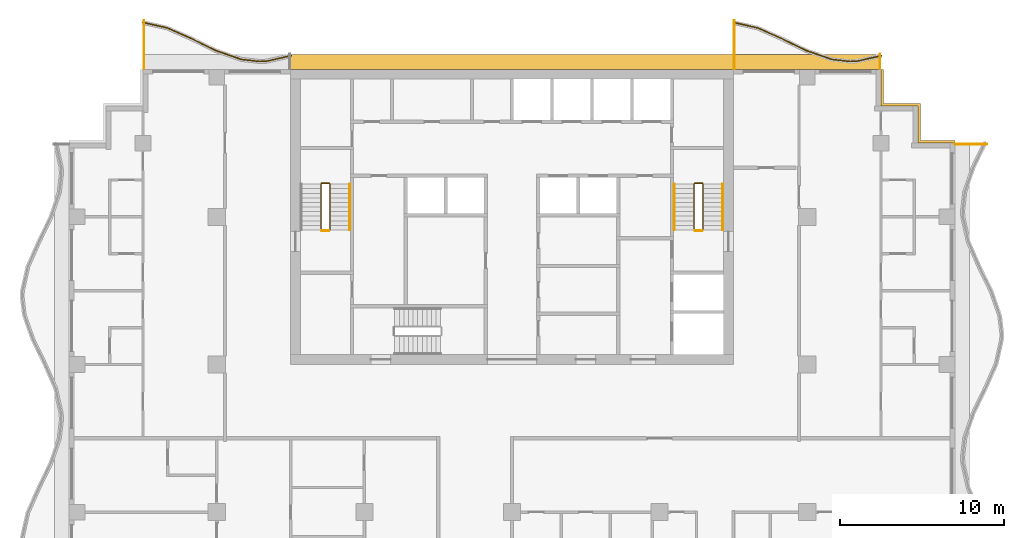
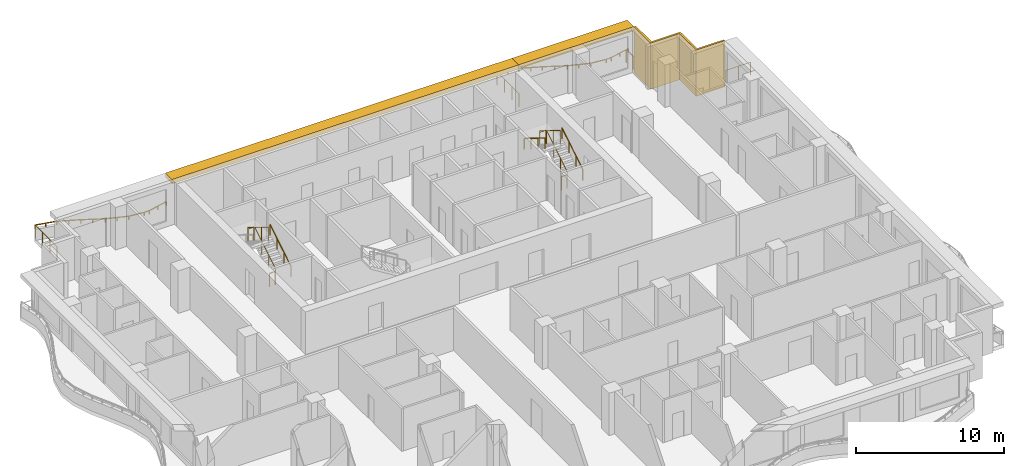
# One storey, part 11 of 11: 13 railings, 3 shading devices.
"""IFC4 building model written with IfcOpenShell, lengths in metres."""

from ifc_helpers import new_model, si_unit, direction, frame, origin, origin_2d, place, context, subcontext, project, spatial, polyline, rectangle, circle, outline, extrude, material, layer, layer_set, type_object, element, save


model = new_model("IFC4")

# Units and contexts
model_context = context("Model", 3, precision=1e-05, world=origin(), true_north=direction((0.0, 1.0)))
body_context = subcontext(model_context, "Body", "Model", "MODEL_VIEW")
ifc_project = project(units=[si_unit("LENGTHUNIT", "METRE"), si_unit("AREAUNIT", "SQUARE_METRE"), si_unit("VOLUMEUNIT", "CUBIC_METRE"), si_unit("PLANEANGLEUNIT", "RADIAN"), si_unit("MASSUNIT", "GRAM", prefix="KILO")], contexts=[model_context])

# Site, building, storey
site_placement = place(None, origin())
site = spatial("IfcSite", under=ifc_project, at=site_placement, CompositionType="ELEMENT")
building_placement = place(site_placement, origin())
building = spatial("IfcBuilding", under=site, at=building_placement, Name="Orbiselva Terraces", CompositionType="ELEMENT")
storey_placement = place(building_placement, frame((0.0, 0.0, 230.0)))
storey = spatial("IfcBuildingStorey", under=building, at=storey_placement, Name="L58", CompositionType="ELEMENT", Elevation=230.0)

# Railings
ifc_material_1 = material(Name="Stainless steel", Category="steel")
railing_type_1 = type_object("IfcRailingType", Name="CORE-GUARD-1100", PredefinedType="GUARDRAIL", material=ifc_material_1)
railing_1_placement = place(storey_placement, frame((-11.1, 12.7, 0.172727)))
element("IfcRailing", 1, at=railing_1_placement, inside=storey, type_object=railing_type_1, Name="L58 S1 stair guard 1", PredefinedType="GUARDRAIL", context=body_context, shape_type="SweptSolid", body=[
    extrude(circle(Radius=0.024, at=origin_2d()), frame((0.0, 0.0, 1.081), z_axis=(0.0, 0.851088519012, 0.52502222125), x_axis=(-1.0, 0.0, 0.0)), (0.0, 0.0, 1.0), 3.289905),
    extrude(circle(Radius=0.024, at=origin_2d()), frame((0.0, 2.8, 2.808273), z_axis=(-0.707106781187, 0.707106781187, 0.0), x_axis=(-0.707106781187, -0.707106781187, 0.0)), (0.0, 0.0, 1.0), 0.070711),
    extrude(circle(Radius=0.024, at=origin_2d()), frame((-0.05, 2.85, 2.808273), z_axis=(-1.0, 0.0, 0.0), x_axis=(0.0, -1.0, 0.0)), (0.0, 0.0, 1.0), 0.45),
    extrude(circle(Radius=0.024, at=origin_2d()), frame((-0.5, 2.85, 2.808273), z_axis=(-0.267894925557, -0.267894925557, 0.925453736133), x_axis=(0.707106781187, -0.707106781187, 0.0)), (0.0, 0.0, 1.0), 0.18664),
    extrude(circle(Radius=0.024, at=origin_2d()), frame((-0.55, 2.8, 2.981), z_axis=(0.0, -0.851088519012, 0.52502222125), x_axis=(1.0, 0.0, 0.0)), (0.0, 0.0, 1.0), 3.289905),
    extrude(circle(Radius=0.021, at=origin_2d()), origin(), (0.0, 0.0, 1.0), 1.057),
    extrude(circle(Radius=0.021, at=origin_2d()), frame((0.0, 0.933333, 0.575758)), (0.0, 0.0, 1.0), 1.057),
    extrude(circle(Radius=0.021, at=origin_2d()), frame((0.0, 1.866667, 1.151515)), (0.0, 0.0, 1.0), 1.057),
    extrude(circle(Radius=0.021, at=origin_2d()), frame((0.0, 2.8, 1.727273)), (0.0, 0.0, 1.0), 1.057),
    extrude(circle(Radius=0.021, at=origin_2d()), frame((-0.05, 2.85, 1.727273)), (0.0, 0.0, 1.0), 1.057),
    extrude(circle(Radius=0.021, at=origin_2d()), frame((-0.5, 2.85, 1.727273)), (0.0, 0.0, 1.0), 1.057),
    extrude(circle(Radius=0.021, at=origin_2d()), frame((-0.55, 2.8, 1.9)), (0.0, 0.0, 1.0), 1.057),
    extrude(circle(Radius=0.021, at=origin_2d()), frame((-0.55, 1.866667, 2.475758)), (0.0, 0.0, 1.0), 1.057),
    extrude(circle(Radius=0.021, at=origin_2d()), frame((-0.55, 0.933333, 3.051515)), (0.0, 0.0, 1.0), 1.057),
    extrude(circle(Radius=0.021, at=origin_2d()), frame((-0.55, 0.0, 3.627273)), (0.0, 0.0, 1.0), 1.057),
])
railing_2_placement = place(storey_placement, frame((-11.15, 12.65, 0.0)))
element("IfcRailing", 2, at=railing_2_placement, inside=storey, type_object=railing_type_1, Name="L58 S1 stair guard 2", PredefinedType="GUARDRAIL", context=body_context, shape_type="SweptSolid", body=[
    extrude(circle(Radius=0.024, at=origin_2d()), frame((0.0, 0.0, 1.081), z_axis=(-1.0, 0.0, 0.0), x_axis=(0.0, -1.0, 0.0)), (0.0, 0.0, 1.0), 0.45),
    extrude(circle(Radius=0.021, at=origin_2d()), origin(), (0.0, 0.0, 1.0), 1.057),
    extrude(circle(Radius=0.021, at=origin_2d()), frame((-0.45, 0.0, 0.0)), (0.0, 0.0, 1.0), 1.057),
])
railing_3_placement = place(storey_placement, frame((11.65, 12.7, 0.172727)))
element("IfcRailing", 3, at=railing_3_placement, inside=storey, type_object=railing_type_1, Name="L58 S2 stair guard 1", PredefinedType="GUARDRAIL", context=body_context, shape_type="SweptSolid", body=[
    extrude(circle(Radius=0.024, at=origin_2d()), frame((0.0, 0.0, 1.081), z_axis=(0.0, 0.851088519012, 0.52502222125), x_axis=(-1.0, 0.0, 0.0)), (0.0, 0.0, 1.0), 3.289905),
    extrude(circle(Radius=0.024, at=origin_2d()), frame((0.0, 2.8, 2.808273), z_axis=(-0.707106781187, 0.707106781187, 0.0), x_axis=(-0.707106781187, -0.707106781187, 0.0)), (0.0, 0.0, 1.0), 0.070711),
    extrude(circle(Radius=0.024, at=origin_2d()), frame((-0.05, 2.85, 2.808273), z_axis=(-1.0, 0.0, 0.0), x_axis=(0.0, -1.0, 0.0)), (0.0, 0.0, 1.0), 0.45),
    extrude(circle(Radius=0.024, at=origin_2d()), frame((-0.5, 2.85, 2.808273), z_axis=(-0.267894925557, -0.267894925557, 0.925453736133), x_axis=(0.707106781187, -0.707106781187, 0.0)), (0.0, 0.0, 1.0), 0.18664),
    extrude(circle(Radius=0.024, at=origin_2d()), frame((-0.55, 2.8, 2.981), z_axis=(0.0, -0.851088519012, 0.52502222125), x_axis=(1.0, 0.0, 0.0)), (0.0, 0.0, 1.0), 3.289905),
    extrude(circle(Radius=0.021, at=origin_2d()), origin(), (0.0, 0.0, 1.0), 1.057),
    extrude(circle(Radius=0.021, at=origin_2d()), frame((0.0, 0.933333, 0.575758)), (0.0, 0.0, 1.0), 1.057),
    extrude(circle(Radius=0.021, at=origin_2d()), frame((0.0, 1.866667, 1.151515)), (0.0, 0.0, 1.0), 1.057),
    extrude(circle(Radius=0.021, at=origin_2d()), frame((0.0, 2.8, 1.727273)), (0.0, 0.0, 1.0), 1.057),
    extrude(circle(Radius=0.021, at=origin_2d()), frame((-0.05, 2.85, 1.727273)), (0.0, 0.0, 1.0), 1.057),
    extrude(circle(Radius=0.021, at=origin_2d()), frame((-0.5, 2.85, 1.727273)), (0.0, 0.0, 1.0), 1.057),
    extrude(circle(Radius=0.021, at=origin_2d()), frame((-0.55, 2.8, 1.9)), (0.0, 0.0, 1.0), 1.057),
    extrude(circle(Radius=0.021, at=origin_2d()), frame((-0.55, 1.866667, 2.475758)), (0.0, 0.0, 1.0), 1.057),
    extrude(circle(Radius=0.021, at=origin_2d()), frame((-0.55, 0.933333, 3.051515)), (0.0, 0.0, 1.0), 1.057),
    extrude(circle(Radius=0.021, at=origin_2d()), frame((-0.55, 0.0, 3.627273)), (0.0, 0.0, 1.0), 1.057),
])
railing_4_placement = place(storey_placement, frame((11.6, 12.65, 0.0)))
element("IfcRailing", 4, at=railing_4_placement, inside=storey, type_object=railing_type_1, Name="L58 S2 stair guard 2", PredefinedType="GUARDRAIL", context=body_context, shape_type="SweptSolid", body=[
    extrude(circle(Radius=0.024, at=origin_2d()), frame((0.0, 0.0, 1.081), z_axis=(-1.0, 0.0, 0.0), x_axis=(0.0, -1.0, 0.0)), (0.0, 0.0, 1.0), 0.45),
    extrude(circle(Radius=0.021, at=origin_2d()), origin(), (0.0, 0.0, 1.0), 1.057),
    extrude(circle(Radius=0.021, at=origin_2d()), frame((-0.45, 0.0, 0.0)), (0.0, 0.0, 1.0), 1.057),
])
railing_type_2 = type_object("IfcRailingType", Name="CORE-HANDRAIL-900", PredefinedType="HANDRAIL", material=ifc_material_1)
for number, where, name in (
    (5, (-9.9, 12.7, 0.172727), "L58 S1 stair handrail 1"),
    (6, (12.85, 12.7, 0.172727), "L58 S2 stair handrail 1"),
):
    element("IfcRailing", number, at=place(storey_placement, frame(where)), inside=storey, type_object=railing_type_2, Name=name, PredefinedType="HANDRAIL", context=body_context, shape_type="SweptSolid", body=[
        extrude(circle(Radius=0.024, at=origin_2d()), frame((0.0, 0.0, 0.876), z_axis=(0.0, 0.851088519012, 0.52502222125), x_axis=(-1.0, 0.0, 0.0)), (0.0, 0.0, 1.0), 3.289905),
        extrude(circle(Radius=0.021, at=origin_2d()), origin(), (0.0, 0.0, 1.0), 0.852),
        extrude(circle(Radius=0.021, at=origin_2d()), frame((0.0, 0.933333, 0.575758)), (0.0, 0.0, 1.0), 0.852),
        extrude(circle(Radius=0.021, at=origin_2d()), frame((0.0, 1.866667, 1.151515)), (0.0, 0.0, 1.0), 0.852),
        extrude(circle(Radius=0.021, at=origin_2d()), frame((0.0, 2.8, 1.727273)), (0.0, 0.0, 1.0), 0.852),
    ])
railing_5_placement = place(storey_placement, frame((9.9, 15.5, 2.072727)))
element("IfcRailing", 7, at=railing_5_placement, inside=storey, type_object=railing_type_2, Name="L58 S2 stair handrail 2", PredefinedType="HANDRAIL", context=body_context, shape_type="SweptSolid", body=[
    extrude(circle(Radius=0.024, at=origin_2d()), frame((0.0, 0.0, 0.876), z_axis=(0.0, -0.851088519012, 0.52502222125), x_axis=(1.0, 0.0, 0.0)), (0.0, 0.0, 1.0), 3.289905),
    extrude(circle(Radius=0.021, at=origin_2d()), origin(), (0.0, 0.0, 1.0), 0.852),
    extrude(circle(Radius=0.021, at=origin_2d()), frame((0.0, -0.933333, 0.575758)), (0.0, 0.0, 1.0), 0.852),
    extrude(circle(Radius=0.021, at=origin_2d()), frame((0.0, -1.866667, 1.151515)), (0.0, 0.0, 1.0), 0.852),
    extrude(circle(Radius=0.021, at=origin_2d()), frame((0.0, -2.8, 1.727273)), (0.0, 0.0, 1.0), 0.852),
])
ifc_material_2 = material(Name="Bonded two-ply safety glass balustrade, stainless steel posts", Category="steel")
railing_type_3 = type_object("IfcRailingType", Name="ENV-BALUSTRADE-1200", PredefinedType="BALUSTRADE", material=ifc_material_2)
railing_6_placement = place(storey_placement, frame((22.527377, 23.329507, 0.9)))
element("IfcRailing", 8, at=railing_6_placement, inside=storey, type_object=railing_type_3, Name="Balcony balustrade L58 NE", PredefinedType="BALUSTRADE", context=body_context, shape_type="SweptSolid", body=[
    extrude(outline(polyline([(0.028868, 0.0), (0.014434, 0.025), (-0.014434, 0.025), (-0.028868, 0.0), (-0.014434, -0.025), (0.014434, -0.025), (0.028868, 0.0)])), frame((0.0, 0.0, 0.275), z_axis=(-0.97572138316, -0.219015484484, 0.0), x_axis=(0.219015484484, -0.97572138316, 0.0)), (0.0, 0.0, 1.0), 1.548694),
    extrude(outline(polyline([(0.028868, 0.0), (0.014434, 0.025), (-0.014434, 0.025), (-0.028868, 0.0), (-0.014434, -0.025), (0.014434, -0.025), (0.028868, 0.0)])), frame((-1.511094, -0.339188, 0.275), z_axis=(-0.999224734286, -0.03936915532, 0.0), x_axis=(0.03936915532, -0.999224734286, 0.0)), (0.0, 0.0, 1.0), 0.396376),
    extrude(outline(polyline([(0.028868, 0.0), (0.014434, 0.025), (-0.014434, 0.025), (-0.028868, 0.0), (-0.014434, -0.025), (0.014434, -0.025), (0.028868, 0.0)])), frame((-1.907163, -0.354793, 0.275), z_axis=(-0.993309551734, 0.115482182324, 0.0), x_axis=(-0.115482182324, -0.993309551734, 0.0)), (0.0, 0.0, 1.0), 1.156135),
    extrude(outline(polyline([(0.028868, 0.0), (0.014434, 0.025), (-0.014434, 0.025), (-0.028868, 0.0), (-0.014434, -0.025), (0.014434, -0.025), (0.028868, 0.0)])), frame((-3.055563, -0.22128, 0.275), z_axis=(-0.943972332783, 0.330024597479, 0.0), x_axis=(-0.330024597479, -0.943972332783, 0.0)), (0.0, 0.0, 1.0), 1.610253),
    extrude(outline(polyline([(0.028868, 0.0), (0.014434, 0.025), (-0.014434, 0.025), (-0.028868, 0.0), (-0.014434, -0.025), (0.014434, -0.025), (0.028868, 0.0)])), frame((-4.575597, 0.310143, 0.275), z_axis=(-0.898578870221, 0.438812048596, 0.0), x_axis=(-0.438812048596, -0.898578870221, 0.0)), (0.0, 0.0, 1.0), 1.674225),
    extrude(outline(polyline([(0.028868, 0.0), (0.014434, 0.025), (-0.014434, 0.025), (-0.028868, 0.0), (-0.014434, -0.025), (0.014434, -0.025), (0.028868, 0.0)])), frame((-6.08002, 1.044813, 0.275), z_axis=(-0.915133363686, 0.403151245402, 0.0), x_axis=(-0.403151245402, -0.915133363686, 0.0)), (0.0, 0.0, 1.0), 1.624475),
    extrude(outline(polyline([(0.028868, 0.0), (0.014434, 0.025), (-0.014434, 0.025), (-0.028868, 0.0), (-0.014434, -0.025), (0.014434, -0.025), (0.028868, 0.0)])), frame((-7.566631, 1.699722, 0.275), z_axis=(-0.975721356559, 0.219015602994, 0.0), x_axis=(-0.219015602994, -0.975721356559, 0.0)), (0.0, 0.0, 1.0), 1.525152),
    extrude(rectangle(XDim=0.05, YDim=0.05, at=origin_2d()), origin(), (0.0, 0.0, 1.0), 0.25),
    extrude(rectangle(XDim=0.05, YDim=0.05, at=origin_2d()), frame((-0.755547, -0.169594, 0.0)), (0.0, 0.0, 1.0), 0.25),
    extrude(rectangle(XDim=0.05, YDim=0.05, at=origin_2d()), frame((-1.511094, -0.339188, 0.0)), (0.0, 0.0, 1.0), 0.25),
    extrude(rectangle(XDim=0.05, YDim=0.05, at=origin_2d()), frame((-1.907163, -0.354793, 0.0)), (0.0, 0.0, 1.0), 0.25),
    extrude(rectangle(XDim=0.05, YDim=0.05, at=origin_2d()), frame((-3.055563, -0.22128, 0.0)), (0.0, 0.0, 1.0), 0.25),
    extrude(rectangle(XDim=0.05, YDim=0.05, at=origin_2d()), frame((-3.81558, 0.044431, 0.0)), (0.0, 0.0, 1.0), 0.25),
    extrude(rectangle(XDim=0.05, YDim=0.05, at=origin_2d()), frame((-4.575597, 0.310143, 0.0)), (0.0, 0.0, 1.0), 0.25),
    extrude(rectangle(XDim=0.05, YDim=0.05, at=origin_2d()), frame((-5.327809, 0.677478, 0.0)), (0.0, 0.0, 1.0), 0.25),
    extrude(rectangle(XDim=0.05, YDim=0.05, at=origin_2d()), frame((-6.08002, 1.044813, 0.0)), (0.0, 0.0, 1.0), 0.25),
    extrude(rectangle(XDim=0.05, YDim=0.05, at=origin_2d()), frame((-6.823326, 1.372268, 0.0)), (0.0, 0.0, 1.0), 0.25),
    extrude(rectangle(XDim=0.05, YDim=0.05, at=origin_2d()), frame((-7.566631, 1.699722, 0.0)), (0.0, 0.0, 1.0), 0.25),
    extrude(rectangle(XDim=0.05, YDim=0.05, at=origin_2d()), frame((-8.310693, 1.866738, 0.0)), (0.0, 0.0, 1.0), 0.25),
    extrude(rectangle(XDim=0.05, YDim=0.05, at=origin_2d()), frame((-9.054754, 2.033754, 0.0)), (0.0, 0.0, 1.0), 0.25),
])
railing_7_placement = place(storey_placement, frame((-13.472623, 23.329507, 0.9)))
element("IfcRailing", 9, at=railing_7_placement, inside=storey, type_object=railing_type_3, Name="Balcony balustrade L58 NW", PredefinedType="BALUSTRADE", context=body_context, shape_type="SweptSolid", body=[
    extrude(outline(polyline([(0.028868, 0.0), (0.014434, 0.025), (-0.014434, 0.025), (-0.028868, 0.0), (-0.014434, -0.025), (0.014434, -0.025), (0.028868, 0.0)])), frame((0.0, 0.0, 0.275), z_axis=(-0.97572138316, -0.219015484484, 0.0), x_axis=(0.219015484484, -0.97572138316, 0.0)), (0.0, 0.0, 1.0), 1.548694),
    extrude(outline(polyline([(0.028868, 0.0), (0.014434, 0.025), (-0.014434, 0.025), (-0.028868, 0.0), (-0.014434, -0.025), (0.014434, -0.025), (0.028868, 0.0)])), frame((-1.511094, -0.339188, 0.275), z_axis=(-0.999224734286, -0.03936915532, 0.0), x_axis=(0.03936915532, -0.999224734286, 0.0)), (0.0, 0.0, 1.0), 0.396376),
    extrude(outline(polyline([(0.028868, 0.0), (0.014434, 0.025), (-0.014434, 0.025), (-0.028868, 0.0), (-0.014434, -0.025), (0.014434, -0.025), (0.028868, 0.0)])), frame((-1.907163, -0.354793, 0.275), z_axis=(-0.993309551734, 0.115482182324, 0.0), x_axis=(-0.115482182324, -0.993309551734, 0.0)), (0.0, 0.0, 1.0), 1.156135),
    extrude(outline(polyline([(0.028868, 0.0), (0.014434, 0.025), (-0.014434, 0.025), (-0.028868, 0.0), (-0.014434, -0.025), (0.014434, -0.025), (0.028868, 0.0)])), frame((-3.055563, -0.22128, 0.275), z_axis=(-0.943972332783, 0.330024597479, 0.0), x_axis=(-0.330024597479, -0.943972332783, 0.0)), (0.0, 0.0, 1.0), 1.610253),
    extrude(outline(polyline([(0.028868, 0.0), (0.014434, 0.025), (-0.014434, 0.025), (-0.028868, 0.0), (-0.014434, -0.025), (0.014434, -0.025), (0.028868, 0.0)])), frame((-4.575597, 0.310143, 0.275), z_axis=(-0.898578870221, 0.438812048596, 0.0), x_axis=(-0.438812048596, -0.898578870221, 0.0)), (0.0, 0.0, 1.0), 1.674225),
    extrude(outline(polyline([(0.028868, 0.0), (0.014434, 0.025), (-0.014434, 0.025), (-0.028868, 0.0), (-0.014434, -0.025), (0.014434, -0.025), (0.028868, 0.0)])), frame((-6.08002, 1.044813, 0.275), z_axis=(-0.915133363686, 0.403151245402, 0.0), x_axis=(-0.403151245402, -0.915133363686, 0.0)), (0.0, 0.0, 1.0), 1.624475),
    extrude(outline(polyline([(0.028868, 0.0), (0.014434, 0.025), (-0.014434, 0.025), (-0.028868, 0.0), (-0.014434, -0.025), (0.014434, -0.025), (0.028868, 0.0)])), frame((-7.566631, 1.699722, 0.275), z_axis=(-0.975721356559, 0.219015602994, 0.0), x_axis=(-0.219015602994, -0.975721356559, 0.0)), (0.0, 0.0, 1.0), 1.525152),
    extrude(rectangle(XDim=0.05, YDim=0.05, at=origin_2d()), origin(), (0.0, 0.0, 1.0), 0.25),
    extrude(rectangle(XDim=0.05, YDim=0.05, at=origin_2d()), frame((-0.755547, -0.169594, 0.0)), (0.0, 0.0, 1.0), 0.25),
    extrude(rectangle(XDim=0.05, YDim=0.05, at=origin_2d()), frame((-1.511094, -0.339188, 0.0)), (0.0, 0.0, 1.0), 0.25),
    extrude(rectangle(XDim=0.05, YDim=0.05, at=origin_2d()), frame((-1.907163, -0.354793, 0.0)), (0.0, 0.0, 1.0), 0.25),
    extrude(rectangle(XDim=0.05, YDim=0.05, at=origin_2d()), frame((-3.055563, -0.22128, 0.0)), (0.0, 0.0, 1.0), 0.25),
    extrude(rectangle(XDim=0.05, YDim=0.05, at=origin_2d()), frame((-3.81558, 0.044431, 0.0)), (0.0, 0.0, 1.0), 0.25),
    extrude(rectangle(XDim=0.05, YDim=0.05, at=origin_2d()), frame((-4.575597, 0.310143, 0.0)), (0.0, 0.0, 1.0), 0.25),
    extrude(rectangle(XDim=0.05, YDim=0.05, at=origin_2d()), frame((-5.327808, 0.677478, 0.0)), (0.0, 0.0, 1.0), 0.25),
    extrude(rectangle(XDim=0.05, YDim=0.05, at=origin_2d()), frame((-6.08002, 1.044813, 0.0)), (0.0, 0.0, 1.0), 0.25),
    extrude(rectangle(XDim=0.05, YDim=0.05, at=origin_2d()), frame((-6.823325, 1.372268, 0.0)), (0.0, 0.0, 1.0), 0.25),
    extrude(rectangle(XDim=0.05, YDim=0.05, at=origin_2d()), frame((-7.566631, 1.699722, 0.0)), (0.0, 0.0, 1.0), 0.25),
    extrude(rectangle(XDim=0.05, YDim=0.05, at=origin_2d()), frame((-8.310692, 1.866738, 0.0)), (0.0, 0.0, 1.0), 0.25),
    extrude(rectangle(XDim=0.05, YDim=0.05, at=origin_2d()), frame((-9.054754, 2.033754, 0.0)), (0.0, 0.0, 1.0), 0.25),
])
ifc_material_3 = material(Name="Stainless steel rail and posts", Category="steel")
railing_type_4 = type_object("IfcRailingType", Name="ENV-GUARD-1105", PredefinedType="BALUSTRADE", material=ifc_material_3)
railing_8_placement = place(storey_placement, frame((28.957877, 17.94, 0.0)))
element("IfcRailing", 10, at=railing_8_placement, inside=storey, type_object=railing_type_4, Name="Balcony end guard L58 E", PredefinedType="BALUSTRADE", context=body_context, shape_type="SweptSolid", body=[
    extrude(outline(polyline([(0.028868, 0.0), (0.014434, 0.025), (-0.014434, 0.025), (-0.028868, 0.0), (-0.014434, -0.025), (0.014434, -0.025), (0.028868, 0.0)])), frame((0.0, 0.0, 1.08), z_axis=(-1.0, 0.0, 0.0), x_axis=(0.0, -1.0, 0.0)), (0.0, 0.0, 1.0), 1.932877),
    extrude(rectangle(XDim=0.05, YDim=0.05, at=origin_2d()), origin(), (0.0, 0.0, 1.0), 1.055),
    extrude(rectangle(XDim=0.05, YDim=0.05, at=origin_2d()), frame((-0.966439, 0.0, 0.0)), (0.0, 0.0, 1.0), 1.055),
    extrude(rectangle(XDim=0.05, YDim=0.05, at=origin_2d()), frame((-1.932877, 0.0, 0.0)), (0.0, 0.0, 1.0), 1.055),
])
railing_9_placement = place(storey_placement, frame((22.44, 23.430416, 0.0)))
element("IfcRailing", 11, at=railing_9_placement, inside=storey, type_object=railing_type_4, Name="Balcony end guard L58 NE", PredefinedType="BALUSTRADE", context=body_context, shape_type="SweptSolid", body=[
    extrude(outline(polyline([(0.028868, 0.0), (0.014434, 0.025), (-0.014434, 0.025), (-0.028868, 0.0), (-0.014434, -0.025), (0.014434, -0.025), (0.028868, 0.0)])), frame((0.0, 0.0, 1.08), z_axis=(0.0, -1.0, 0.0), x_axis=(1.0, 0.0, 0.0)), (0.0, 0.0, 1.0), 0.905416),
    extrude(rectangle(XDim=0.05, YDim=0.05, at=origin_2d()), origin(), (0.0, 0.0, 1.0), 1.055),
    extrude(rectangle(XDim=0.05, YDim=0.05, at=origin_2d()), frame((0.0, -0.905416, 0.0)), (0.0, 0.0, 1.0), 1.055),
])
for number, where, name in (
    (12, (13.56, 25.480134, 0.0), "Balcony end guard L58 NE"),
    (13, (-22.44, 25.480134, 0.0), "Balcony end guard L58 NW"),
):
    element("IfcRailing", number, at=place(storey_placement, frame(where)), inside=storey, type_object=railing_type_4, Name=name, PredefinedType="BALUSTRADE", context=body_context, shape_type="SweptSolid", body=[
        extrude(outline(polyline([(0.028868, 0.0), (0.014434, 0.025), (-0.014434, 0.025), (-0.028868, 0.0), (-0.014434, -0.025), (0.014434, -0.025), (0.028868, 0.0)])), frame((0.0, 0.0, 1.08), z_axis=(0.0, -1.0, 0.0), x_axis=(1.0, 0.0, 0.0)), (0.0, 0.0, 1.0), 2.955134),
        extrude(rectangle(XDim=0.05, YDim=0.05, at=origin_2d()), origin(), (0.0, 0.0, 1.0), 1.055),
        extrude(rectangle(XDim=0.05, YDim=0.05, at=origin_2d()), frame((0.0, -0.985045, 0.0)), (0.0, 0.0, 1.0), 1.055),
        extrude(rectangle(XDim=0.05, YDim=0.05, at=origin_2d()), frame((0.0, -1.970089, 0.0)), (0.0, 0.0, 1.0), 1.055),
        extrude(rectangle(XDim=0.05, YDim=0.05, at=origin_2d()), frame((0.0, -2.955134, 0.0)), (0.0, 0.0, 1.0), 1.055),
    ])

# Shading devices
ifc_material_4 = material(Name="Terracotta louvre screen", Category="masonry")
ifc_layer_1 = layer(ifc_material_4, 0.15)
ifc_layer_set_1 = layer_set([ifc_layer_1], Name="Terracotta louvre screen")
shading_device_type_1 = type_object("IfcShadingDeviceType", Name="ENV-SCREEN-150", PredefinedType="USERDEFINED", material=ifc_layer_set_1)
shading_device_1_placement = place(storey_placement, frame((0.0, 0.0, -0.3)))
element("IfcShadingDevice", 14, at=shading_device_1_placement, inside=storey, type_object=shading_device_type_1, Name="Louvre screen L58 NE", ObjectType="SCREEN", PredefinedType="USERDEFINED", context=body_context, shape_type="SweptSolid", body=[
    extrude(outline(polyline([(27.0, 18.15), (24.9, 18.15), (24.9, 20.4), (22.65, 20.4), (22.65, 22.5), (22.5, 22.5), (22.5, 20.25), (24.75, 20.25), (24.75, 18.0), (27.0, 18.0), (27.0, 18.15)])), origin(), (0.0, 0.0, 1.0), 3.8),
])
ifc_material_5 = material(Name="Terracotta baguette sunshade", Category="masonry")
ifc_layer_2 = layer(ifc_material_5, 0.35)
ifc_layer_set_2 = layer_set([ifc_layer_2], Name="Terracotta baguette sunshade")
shading_device_type_2 = type_object("IfcShadingDeviceType", Name="ENV-SUNSHADE-900x350", PredefinedType="USERDEFINED", material=ifc_layer_set_2)
shading_device_2_placement = place(storey_placement, frame((0.0, 0.0, 3.15)))
element("IfcShadingDevice", 15, at=shading_device_2_placement, inside=storey, type_object=shading_device_type_2, Name="Sunshade band L58 NE", ObjectType="SUNSHADE", PredefinedType="USERDEFINED", context=body_context, shape_type="SweptSolid", body=[
    extrude(outline(polyline([(22.5, 23.4), (13.5, 23.4), (13.5, 22.5), (22.5, 22.5), (22.5, 23.4)])), origin(), (0.0, 0.0, 1.0), 0.35),
])
shading_device_3_placement = place(storey_placement, frame((0.0, 0.0, 3.15)))
element("IfcShadingDevice", 16, at=shading_device_3_placement, inside=storey, type_object=shading_device_type_2, Name="Sunshade band L58 CORE NORTH", ObjectType="SUNSHADE", PredefinedType="USERDEFINED", context=body_context, shape_type="SweptSolid", body=[
    extrude(outline(polyline([(13.5, 23.4), (-13.5, 23.4), (-13.5, 22.5), (13.5, 22.5), (13.5, 23.4)])), origin(), (0.0, 0.0, 1.0), 0.35),
])

save(model, "model.ifc")
